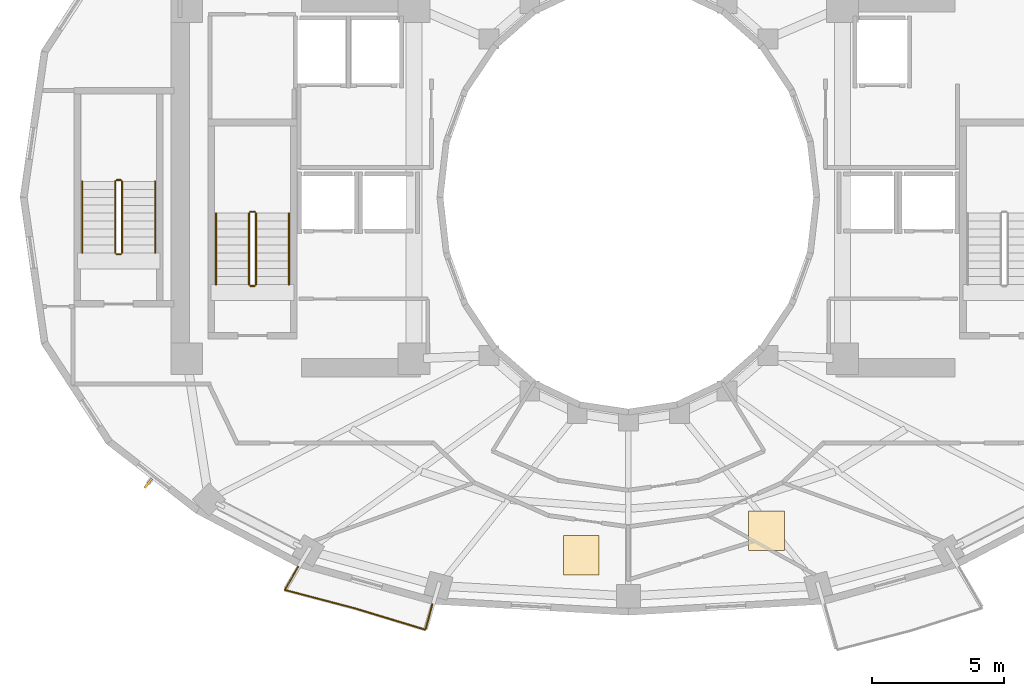
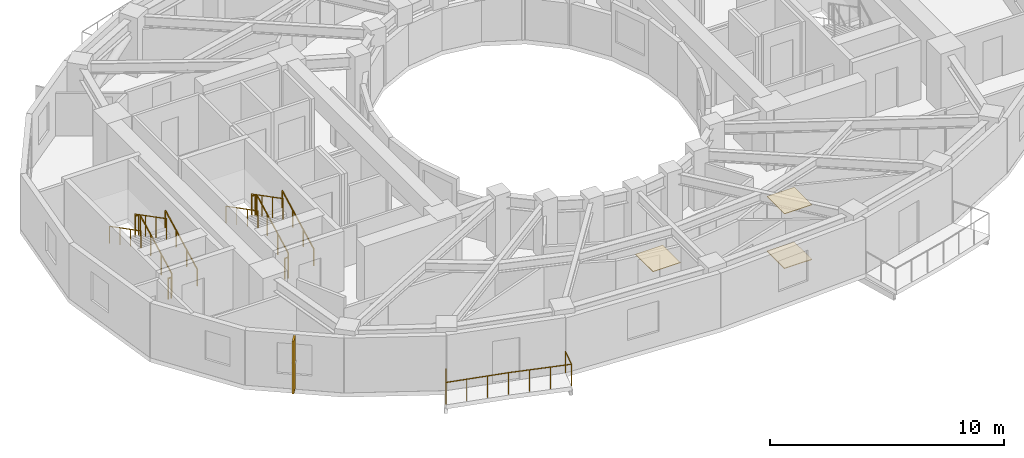
# One storey, part 8 of 10: 13 railings, 3 coverings, 1 shading device.
"""IFC4 building model written with IfcOpenShell, lengths in metres."""

from ifc_helpers import new_model, si_unit, direction, frame, origin, origin_2d, place, context, subcontext, project, spatial, polyline, rectangle, circle, outline, extrude, material, layer, layer_set, type_object, element, save


model = new_model("IFC4")

# Units and contexts
model_context = context("Model", 3, precision=1e-05, world=origin(), true_north=direction((0.0, 1.0)))
body_context = subcontext(model_context, "Body", "Model", "MODEL_VIEW")
ifc_project = project(units=[si_unit("LENGTHUNIT", "METRE"), si_unit("AREAUNIT", "SQUARE_METRE"), si_unit("VOLUMEUNIT", "CUBIC_METRE"), si_unit("PLANEANGLEUNIT", "RADIAN"), si_unit("MASSUNIT", "GRAM", prefix="KILO")], contexts=[model_context])

# Site, building, storey
site_placement = place(None, origin())
site = spatial("IfcSite", under=ifc_project, at=site_placement, CompositionType="ELEMENT")
building_placement = place(site_placement, origin())
building = spatial("IfcBuilding", under=site, at=building_placement, Name="Solvane Sanctuary Tower", CompositionType="ELEMENT")
storey_placement = place(building_placement, frame((0.0, 0.0, 165.300048828125)))
storey = spatial("IfcBuildingStorey", under=building, at=storey_placement, Name="L50", CompositionType="ELEMENT", Elevation=165.300048828125)

# Coverings
ifc_material_1 = material(Name="Acoustic Gypsum Partition Board")
ifc_layer_1 = layer(ifc_material_1, 0.02490234375, Name="Acoustic Gypsum Partition Board")
ifc_layer_set_1 = layer_set([ifc_layer_1], Name="Acoustic Gypsum Partition Board")
covering_type_1 = type_object("IfcCoveringType", Name="Covering CLG-ACOUST", PredefinedType="CEILING", material=ifc_layer_set_1)
covering_1_placement = place(storey_placement, frame((0.0, 0.0, 2.849853515625)))
element("IfcCovering", 1, at=covering_1_placement, inside=storey, type_object=covering_type_1, Name="L50 Unit Acoustic Ceiling Panel 3", PredefinedType="CEILING", context=body_context, shape_type="SweptSolid", body=[
    extrude(outline(polyline([(29.54296875, 8.717041015625), (30.89306640625, 8.717041015625), (30.89306640625, 10.217041015625), (29.54296875, 10.217041015625), (29.54296875, 8.717041015625)])), origin(), (0.0, 0.0, 1.0), 0.030029296875),
])
covering_2_placement = place(storey_placement, frame((0.0, 0.0, 2.849853515625)))
element("IfcCovering", 2, at=covering_2_placement, inside=storey, type_object=covering_type_1, Name="L50 Unit Acoustic Ceiling Panel 4", PredefinedType="CEILING", context=body_context, shape_type="SweptSolid", body=[
    extrude(outline(polyline([(36.549072265625, 9.638916015625), (37.89892578125, 9.638916015625), (37.89892578125, 11.138916015625), (36.549072265625, 11.138916015625), (36.549072265625, 9.638916015625)])), origin(), (0.0, 0.0, 1.0), 0.030029296875),
])
ifc_material_2 = material(Name="Ceramic Tile Finish")
ifc_layer_2 = layer(ifc_material_2, 0.030029296875, Name="Ceramic Tile Finish")
ifc_layer_set_2 = layer_set([ifc_layer_2], Name="Ceramic Tile Finish")
covering_type_2 = type_object("IfcCoveringType", Name="Covering FLR-TERRAZZO", PredefinedType="FLOORING", material=ifc_layer_set_2)
covering_3_placement = place(storey_placement, origin())
element("IfcCovering", 3, at=covering_3_placement, inside=storey, type_object=covering_type_2, Name="L50 Unit Terrazzo Inlay 4", PredefinedType="FLOORING", context=body_context, shape_type="SweptSolid", body=[
    extrude(outline(polyline([(36.549072265625, 9.638916015625), (37.89892578125, 9.638916015625), (37.89892578125, 11.138916015625), (36.549072265625, 11.138916015625), (36.549072265625, 9.638916015625)])), origin(), (0.0, 0.0, 1.0), 0.034912109375),
])

# Railings
ifc_material_3 = material(Name="Architectural Stainless Steel 316", Category="steel")
railing_type_1 = type_object("IfcRailingType", Name="Railing GR-BALC-1150", PredefinedType="BALUSTRADE", material=ifc_material_3)
railing_1_placement = place(storey_placement, frame((19.510986328125, 9.022705078125, 0.0)))
element("IfcRailing", 4, at=railing_1_placement, inside=storey, type_object=railing_type_1, Name="L50 Wave Balcony Balustrade S1", PredefinedType="BALUSTRADE", context=body_context, shape_type="SweptSolid", body=[
    extrude(circle(Radius=0.02392578125, at=origin_2d()), frame((0.0, 0.0, 1.1259765625), z_axis=(-0.500102734445, -0.865966081899, 0.0), x_axis=(0.865966081899, -0.500102734445, 0.0)), (0.0, 0.0, 1.0), 1.000244140625),
    extrude(circle(Radius=0.02392578125, at=origin_2d()), frame((-0.500244140625, -0.8662109375, 1.1259765625), z_axis=(0.967132716299, -0.254272116174, 0.0), x_axis=(0.254272116174, 0.967132716299, 0.0)), (0.0, 0.0, 1.0), 2.77099609375),
    extrude(circle(Radius=0.02392578125, at=origin_2d()), frame((2.1796875, -1.57080078125, 1.1259765625), z_axis=(0.95704821977, -0.289928793043, 0.0), x_axis=(0.289928793043, 0.95704821977, 0.0)), (0.0, 0.0, 1.0), 2.758544921875),
    extrude(circle(Radius=0.02392578125, at=origin_2d()), frame((4.81982421875, -2.37060546875, 1.1259765625), z_axis=(0.2587564216, 0.96594260403, 0.0), x_axis=(-0.96594260403, 0.2587564216, 0.0)), (0.0, 0.0, 1.0), 1.000244140625),
    extrude(circle(Radius=0.02099609375, at=origin_2d()), origin(), (0.0, 0.0, 1.0), 1.101806640625),
    extrude(circle(Radius=0.02099609375, at=origin_2d()), frame((-0.500244140625, -0.8662109375, 0.0)), (0.0, 0.0, 1.0), 1.101806640625),
    extrude(circle(Radius=0.02099609375, at=origin_2d()), frame((0.39306640625, -1.10107421875, 0.0)), (0.0, 0.0, 1.0), 1.101806640625),
    extrude(circle(Radius=0.02099609375, at=origin_2d()), frame((1.286376953125, -1.3359375, 0.0)), (0.0, 0.0, 1.0), 1.101806640625),
    extrude(circle(Radius=0.02099609375, at=origin_2d()), frame((2.1796875, -1.57080078125, 0.0)), (0.0, 0.0, 1.0), 1.101806640625),
    extrude(circle(Radius=0.02099609375, at=origin_2d()), frame((3.059814453125, -1.83740234375, 0.0)), (0.0, 0.0, 1.0), 1.101806640625),
    extrude(circle(Radius=0.02099609375, at=origin_2d()), frame((3.939697265625, -2.10400390625, 0.0)), (0.0, 0.0, 1.0), 1.101806640625),
    extrude(circle(Radius=0.02099609375, at=origin_2d()), frame((4.81982421875, -2.37060546875, 0.0)), (0.0, 0.0, 1.0), 1.101806640625),
    extrude(circle(Radius=0.02099609375, at=origin_2d()), frame((5.07861328125, -1.404541015625, 0.0)), (0.0, 0.0, 1.0), 1.101806640625),
])
railing_2_placement = place(storey_placement, frame((17.919921875, 19.699951171875, 0.155029296875)))
element("IfcRailing", 5, at=railing_2_placement, inside=storey, type_object=railing_type_1, Name="L50 ST-1 stair guard 1", PredefinedType="BALUSTRADE", context=body_context, shape_type="SweptSolid", body=[
    extrude(circle(Radius=0.02392578125, at=origin_2d()), frame((0.0, 0.0, 1.076171875), z_axis=(0.0, 0.888419900624, 0.459031676658), x_axis=(-1.0, 0.0, 0.0)), (0.0, 0.0, 1.0), 3.0390625),
    extrude(circle(Radius=0.02099609375, at=origin_2d()), origin(), (0.0, 0.0, 1.0), 1.052001953125),
    extrude(circle(Radius=0.02099609375, at=origin_2d()), frame((0.0, 0.89990234375, 0.465087890625)), (0.0, 0.0, 1.0), 1.052001953125),
    extrude(circle(Radius=0.02099609375, at=origin_2d()), frame((0.0, 1.800048828125, 0.929931640625)), (0.0, 0.0, 1.0), 1.052001953125),
    extrude(circle(Radius=0.02099609375, at=origin_2d()), frame((0.0, 2.699951171875, 1.39501953125)), (0.0, 0.0, 1.0), 1.052001953125),
])
railing_3_placement = place(storey_placement, frame((17.8701171875, 22.449951171875, 1.550048828125)))
element("IfcRailing", 6, at=railing_3_placement, inside=storey, type_object=railing_type_1, Name="L50 ST-1 stair guard 2", PredefinedType="BALUSTRADE", context=body_context, shape_type="SweptSolid", body=[
    extrude(circle(Radius=0.02392578125, at=origin_2d()), frame((0.0, 0.0, 1.076171875), z_axis=(-1.0, 0.0, 0.0), x_axis=(0.0, -1.0, 0.0)), (0.0, 0.0, 1.0), 0.16015625),
    extrude(circle(Radius=0.02099609375, at=origin_2d()), origin(), (0.0, 0.0, 1.0), 1.052001953125),
    extrude(circle(Radius=0.02099609375, at=origin_2d()), frame((-0.16015625, 0.0, 0.0)), (0.0, 0.0, 1.0), 1.052001953125),
])
railing_4_placement = place(storey_placement, frame((17.659912109375, 22.39990234375, 1.704833984375)))
element("IfcRailing", 7, at=railing_4_placement, inside=storey, type_object=railing_type_1, Name="L50 ST-1 stair guard 3", PredefinedType="BALUSTRADE", context=body_context, shape_type="SweptSolid", body=[
    extrude(circle(Radius=0.02392578125, at=origin_2d()), frame((0.0, 0.0, 1.076171875), z_axis=(0.0, -0.888419900624, 0.459031676658), x_axis=(1.0, 0.0, 0.0)), (0.0, 0.0, 1.0), 3.0390625),
    extrude(circle(Radius=0.02099609375, at=origin_2d()), origin(), (0.0, 0.0, 1.0), 1.052001953125),
    extrude(circle(Radius=0.02099609375, at=origin_2d()), frame((0.0, -0.89990234375, 0.465087890625)), (0.0, 0.0, 1.0), 1.052001953125),
    extrude(circle(Radius=0.02099609375, at=origin_2d()), frame((0.0, -1.800048828125, 0.929931640625)), (0.0, 0.0, 1.0), 1.052001953125),
    extrude(circle(Radius=0.02099609375, at=origin_2d()), frame((0.0, -2.699951171875, 1.39501953125)), (0.0, 0.0, 1.0), 1.052001953125),
])
railing_5_placement = place(storey_placement, frame((17.8701171875, 19.64990234375, 0.0)))
element("IfcRailing", 8, at=railing_5_placement, inside=storey, type_object=railing_type_1, Name="L50 ST-1 stair guard 4", PredefinedType="BALUSTRADE", context=body_context, shape_type="SweptSolid", body=[
    extrude(circle(Radius=0.02392578125, at=origin_2d()), frame((0.0, 0.0, 1.076171875), z_axis=(-1.0, 0.0, 0.0), x_axis=(0.0, -1.0, 0.0)), (0.0, 0.0, 1.0), 0.16015625),
    extrude(circle(Radius=0.02099609375, at=origin_2d()), origin(), (0.0, 0.0, 1.0), 1.052001953125),
    extrude(circle(Radius=0.02099609375, at=origin_2d()), frame((-0.16015625, 0.0, 0.0)), (0.0, 0.0, 1.0), 1.052001953125),
])
railing_6_placement = place(storey_placement, frame((12.860107421875, 20.89990234375, 0.155029296875)))
element("IfcRailing", 9, at=railing_6_placement, inside=storey, type_object=railing_type_1, Name="L50 ST-3 stair guard 1", PredefinedType="BALUSTRADE", context=body_context, shape_type="SweptSolid", body=[
    extrude(circle(Radius=0.02392578125, at=origin_2d()), frame((0.0, 0.0, 1.076171875), z_axis=(0.0, 0.888436826113, 0.458998917216), x_axis=(-1.0, 0.0, 0.0)), (0.0, 0.0, 1.0), 3.039306640625),
    extrude(circle(Radius=0.02099609375, at=origin_2d()), origin(), (0.0, 0.0, 1.0), 1.052001953125),
    extrude(circle(Radius=0.02099609375, at=origin_2d()), frame((0.0, 0.900146484375, 0.465087890625)), (0.0, 0.0, 1.0), 1.052001953125),
    extrude(circle(Radius=0.02099609375, at=origin_2d()), frame((0.0, 1.800048828125, 0.929931640625)), (0.0, 0.0, 1.0), 1.052001953125),
    extrude(circle(Radius=0.02099609375, at=origin_2d()), frame((0.0, 2.7001953125, 1.39501953125)), (0.0, 0.0, 1.0), 1.052001953125),
])
railing_7_placement = place(storey_placement, frame((12.81005859375, 23.64990234375, 1.550048828125)))
element("IfcRailing", 10, at=railing_7_placement, inside=storey, type_object=railing_type_1, Name="L50 ST-3 stair guard 2", PredefinedType="BALUSTRADE", context=body_context, shape_type="SweptSolid", body=[
    extrude(circle(Radius=0.02392578125, at=origin_2d()), frame((0.0, 0.0, 1.076171875), z_axis=(-1.0, 0.0, 0.0), x_axis=(0.0, -1.0, 0.0)), (0.0, 0.0, 1.0), 0.16015625),
    extrude(circle(Radius=0.02099609375, at=origin_2d()), origin(), (0.0, 0.0, 1.0), 1.052001953125),
    extrude(circle(Radius=0.02099609375, at=origin_2d()), frame((-0.16015625, 0.0, 0.0)), (0.0, 0.0, 1.0), 1.052001953125),
])
railing_8_placement = place(storey_placement, frame((12.60009765625, 23.60009765625, 1.704833984375)))
element("IfcRailing", 11, at=railing_8_placement, inside=storey, type_object=railing_type_1, Name="L50 ST-3 stair guard 3", PredefinedType="BALUSTRADE", context=body_context, shape_type="SweptSolid", body=[
    extrude(circle(Radius=0.02392578125, at=origin_2d()), frame((0.0, 0.0, 1.076171875), z_axis=(0.0, -0.888436826113, 0.458998917216), x_axis=(1.0, 0.0, 0.0)), (0.0, 0.0, 1.0), 3.039306640625),
    extrude(circle(Radius=0.02099609375, at=origin_2d()), origin(), (0.0, 0.0, 1.0), 1.052001953125),
    extrude(circle(Radius=0.02099609375, at=origin_2d()), frame((0.0, -0.900146484375, 0.465087890625)), (0.0, 0.0, 1.0), 1.052001953125),
    extrude(circle(Radius=0.02099609375, at=origin_2d()), frame((0.0, -1.800048828125, 0.929931640625)), (0.0, 0.0, 1.0), 1.052001953125),
    extrude(circle(Radius=0.02099609375, at=origin_2d()), frame((0.0, -2.7001953125, 1.39501953125)), (0.0, 0.0, 1.0), 1.052001953125),
])
railing_9_placement = place(storey_placement, frame((12.81005859375, 20.85009765625, 0.0)))
element("IfcRailing", 12, at=railing_9_placement, inside=storey, type_object=railing_type_1, Name="L50 ST-3 stair guard 4", PredefinedType="BALUSTRADE", context=body_context, shape_type="SweptSolid", body=[
    extrude(circle(Radius=0.02392578125, at=origin_2d()), frame((0.0, 0.0, 1.076171875), z_axis=(-1.0, 0.0, 0.0), x_axis=(0.0, -1.0, 0.0)), (0.0, 0.0, 1.0), 0.16015625),
    extrude(circle(Radius=0.02099609375, at=origin_2d()), origin(), (0.0, 0.0, 1.0), 1.052001953125),
    extrude(circle(Radius=0.02099609375, at=origin_2d()), frame((-0.16015625, 0.0, 0.0)), (0.0, 0.0, 1.0), 1.052001953125),
])
railing_type_2 = type_object("IfcRailingType", Name="Railing HR-STAIR-920", PredefinedType="HANDRAIL", material=ifc_material_3)
railing_10_placement = place(storey_placement, frame((19.169921875, 19.699951171875, 0.155029296875)))
element("IfcRailing", 13, at=railing_10_placement, inside=storey, type_object=railing_type_2, Name="L50 ST-1 stair handrail 1", PredefinedType="HANDRAIL", context=body_context, shape_type="SweptSolid", body=[
    extrude(circle(Radius=0.02392578125, at=origin_2d()), frame((0.0, 0.0, 0.8759765625), z_axis=(0.0, 0.888419900624, 0.459031676658), x_axis=(-1.0, 0.0, 0.0)), (0.0, 0.0, 1.0), 3.0390625),
    extrude(circle(Radius=0.02099609375, at=origin_2d()), origin(), (0.0, 0.0, 1.0), 0.851806640625),
    extrude(circle(Radius=0.02099609375, at=origin_2d()), frame((0.0, 0.89990234375, 0.465087890625)), (0.0, 0.0, 1.0), 0.851806640625),
    extrude(circle(Radius=0.02099609375, at=origin_2d()), frame((0.0, 1.800048828125, 0.929931640625)), (0.0, 0.0, 1.0), 0.851806640625),
    extrude(circle(Radius=0.02099609375, at=origin_2d()), frame((0.0, 2.699951171875, 1.39501953125)), (0.0, 0.0, 1.0), 0.851806640625),
])
railing_11_placement = place(storey_placement, frame((16.409912109375, 22.39990234375, 1.704833984375)))
element("IfcRailing", 14, at=railing_11_placement, inside=storey, type_object=railing_type_2, Name="L50 ST-1 stair handrail 2", PredefinedType="HANDRAIL", context=body_context, shape_type="SweptSolid", body=[
    extrude(circle(Radius=0.02392578125, at=origin_2d()), frame((0.0, 0.0, 0.8759765625), z_axis=(0.0, -0.888419900624, 0.459031676658), x_axis=(1.0, 0.0, 0.0)), (0.0, 0.0, 1.0), 3.0390625),
    extrude(circle(Radius=0.02099609375, at=origin_2d()), origin(), (0.0, 0.0, 1.0), 0.851806640625),
    extrude(circle(Radius=0.02099609375, at=origin_2d()), frame((0.0, -0.89990234375, 0.465087890625)), (0.0, 0.0, 1.0), 0.851806640625),
    extrude(circle(Radius=0.02099609375, at=origin_2d()), frame((0.0, -1.800048828125, 0.929931640625)), (0.0, 0.0, 1.0), 0.851806640625),
    extrude(circle(Radius=0.02099609375, at=origin_2d()), frame((0.0, -2.699951171875, 1.39501953125)), (0.0, 0.0, 1.0), 0.851806640625),
])
railing_12_placement = place(storey_placement, frame((14.110107421875, 20.89990234375, 0.155029296875)))
element("IfcRailing", 15, at=railing_12_placement, inside=storey, type_object=railing_type_2, Name="L50 ST-3 stair handrail 1", PredefinedType="HANDRAIL", context=body_context, shape_type="SweptSolid", body=[
    extrude(circle(Radius=0.02392578125, at=origin_2d()), frame((0.0, 0.0, 0.8759765625), z_axis=(0.0, 0.888436826113, 0.458998917216), x_axis=(-1.0, 0.0, 0.0)), (0.0, 0.0, 1.0), 3.039306640625),
    extrude(circle(Radius=0.02099609375, at=origin_2d()), origin(), (0.0, 0.0, 1.0), 0.851806640625),
    extrude(circle(Radius=0.02099609375, at=origin_2d()), frame((0.0, 0.900146484375, 0.465087890625)), (0.0, 0.0, 1.0), 0.851806640625),
    extrude(circle(Radius=0.02099609375, at=origin_2d()), frame((0.0, 1.800048828125, 0.929931640625)), (0.0, 0.0, 1.0), 0.851806640625),
    extrude(circle(Radius=0.02099609375, at=origin_2d()), frame((0.0, 2.7001953125, 1.39501953125)), (0.0, 0.0, 1.0), 0.851806640625),
])
railing_13_placement = place(storey_placement, frame((11.35009765625, 23.60009765625, 1.704833984375)))
element("IfcRailing", 16, at=railing_13_placement, inside=storey, type_object=railing_type_2, Name="L50 ST-3 stair handrail 2", PredefinedType="HANDRAIL", context=body_context, shape_type="SweptSolid", body=[
    extrude(circle(Radius=0.02392578125, at=origin_2d()), frame((0.0, 0.0, 0.8759765625), z_axis=(0.0, -0.888436826113, 0.458998917216), x_axis=(1.0, 0.0, 0.0)), (0.0, 0.0, 1.0), 3.039306640625),
    extrude(circle(Radius=0.02099609375, at=origin_2d()), origin(), (0.0, 0.0, 1.0), 0.851806640625),
    extrude(circle(Radius=0.02099609375, at=origin_2d()), frame((0.0, -0.900146484375, 0.465087890625)), (0.0, 0.0, 1.0), 0.851806640625),
    extrude(circle(Radius=0.02099609375, at=origin_2d()), frame((0.0, -1.800048828125, 0.929931640625)), (0.0, 0.0, 1.0), 0.851806640625),
    extrude(circle(Radius=0.02099609375, at=origin_2d()), frame((0.0, -2.7001953125, 1.39501953125)), (0.0, 0.0, 1.0), 0.851806640625),
])

# Shading device
ifc_material_4 = material(Name="Anodised Aluminium 6063-T6", Category="aluminium")
ifc_layer_3 = layer(ifc_material_4, 0.080078125, Name="Anodised Aluminium 6063-T6")
ifc_layer_set_3 = layer_set([ifc_layer_3], Name="Anodised Aluminium 6063-T6")
shading_device_type = type_object("IfcShadingDeviceType", Name="Shading SHD-FIN", PredefinedType="USERDEFINED", material=ifc_layer_set_3)
shading_device_placement = place(storey_placement, frame((13.847412109375, 12.188720703125, 0.050048828125), z_axis=(0.0, 0.0, 1.0), x_axis=(0.790165709501, -0.612893262753, 0.0)))
element("IfcShadingDevice", 17, at=shading_device_placement, inside=storey, type_object=shading_device_type, Name="L50 Aerodynamic Vertical Fin 14", ObjectType="FIN", PredefinedType="USERDEFINED", context=body_context, shape_type="SweptSolid", body=[
    extrude(rectangle(XDim=0.080078125, YDim=0.449951171875, at=origin_2d()), origin(), (0.0, 0.0, 1.0), 2.75),
])

save(model, "model.ifc")
